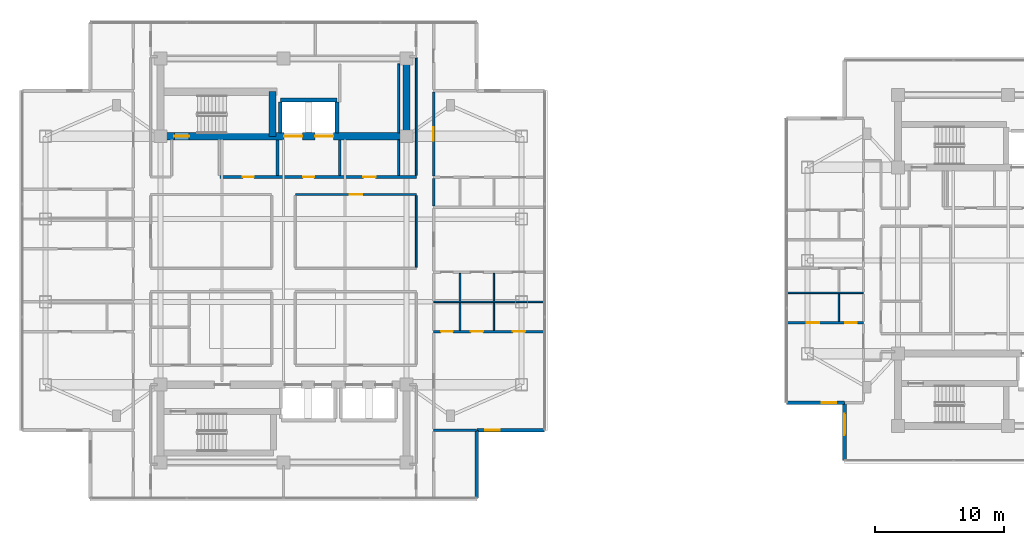
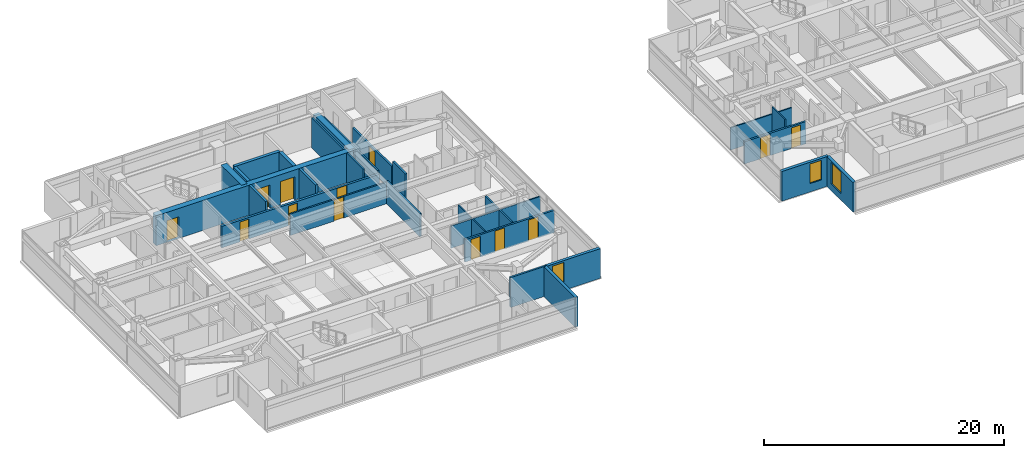
# One storey, part 14 of 24: 30 walls, 13 doors, 3 windows, 16 openings.
"""IFC4 building model written with IfcOpenShell, lengths in metres."""

from ifc_helpers import new_model, si_unit, direction, frame, frame_2d, origin, place, context, subcontext, project, spatial, rectangle, extrude, material, layer, layer_set, type_object, element, fill, save


model = new_model("IFC4")

# Units and contexts
model_context = context("Model", 3, precision=1e-05, world=origin(), true_north=direction((0.0, 1.0)))
body_context = subcontext(model_context, "Body", "Model", "MODEL_VIEW")
ifc_project = project(units=[si_unit("LENGTHUNIT", "METRE"), si_unit("AREAUNIT", "SQUARE_METRE"), si_unit("VOLUMEUNIT", "CUBIC_METRE"), si_unit("PLANEANGLEUNIT", "RADIAN"), si_unit("MASSUNIT", "GRAM", prefix="KILO")], contexts=[model_context])

# Site, building, storey
site_placement = place(None, origin())
site = spatial("IfcSite", under=ifc_project, at=site_placement, CompositionType="ELEMENT")
building_placement = place(site_placement, origin())
building = spatial("IfcBuilding", under=site, at=building_placement, Name="Mirazonda Arch Towers", CompositionType="ELEMENT")
storey_placement = place(building_placement, frame((0.0, 0.0, 160.89990234375)))
storey = spatial("IfcBuildingStorey", under=building, at=storey_placement, Name="L45", CompositionType="ELEMENT", Elevation=160.89990234375)

# Wall
ifc_material_1 = material(Name="Concrete C50/60", Category="concrete")
ifc_layer_1 = layer(ifc_material_1, 0.550048828125, Name="WALL-CORE-550")
ifc_layer_set_1 = layer_set([ifc_layer_1], Name="Concrete C50/60")
wall_type_1 = type_object("IfcWallType", Name="WALL-CORE-550", PredefinedType="SHEAR", material=ifc_layer_set_1)
wall_1_placement = place(storey_placement, frame((30.0, 37.60009765625, 0.0), z_axis=(0.0, 0.0, 1.0), x_axis=(0.0, 1.0, 0.0)))
element("IfcWall", 1, at=wall_1_placement, inside=storey, type_object=wall_type_1, Name="L45 T1N-E Core Shear Wall", PredefinedType="SHEAR", context=body_context, shape_type="SweptSolid", body=[
    extrude(rectangle(XDim=6.0, YDim=0.550048828125, at=frame_2d((3.0, 0.0))), origin(), (0.0, 0.0, 1.0), 3.050048828125),
])

# Wall, openings, doors
wall_2_placement = place(storey_placement, frame((11.0, 37.60009765625, 0.0), z_axis=(0.0, 0.0, 1.0), x_axis=(1.0, 0.0, 0.0)))
wall_2 = element("IfcWall", 2, at=wall_2_placement, inside=storey, type_object=wall_type_1, Name="L45 T1N-S Core Shear Wall", PredefinedType="SHEAR", context=body_context, shape_type="SweptSolid", body=[
    extrude(rectangle(XDim=19.0, YDim=0.550048828125, at=frame_2d((9.5, 0.0))), origin(), (0.0, 0.0, 1.0), 3.050048828125),
])
opening_1_placement = place(wall_2_placement, frame((1.06005859375, 0.0, 0.0)))
opening_1 = element("IfcOpeningElement", 3, at=opening_1_placement, cuts=wall_2, Name="Opening DR-135", PredefinedType="OPENING", context=body_context, shape_type="SweptSolid", body=[
    extrude(rectangle(XDim=1.14990234375, YDim=2.199951171875, at=frame_2d((0.574951171875, 1.10009765625))), frame((0.0, 0.284912109375, 0.0), z_axis=(0.0, -1.0, 0.0), x_axis=(1.0, 0.0, 0.0)), (0.0, 0.0, 1.0), 0.570068359375),
])
opening_2_placement = place(wall_2_placement, frame((9.550048828125, 0.0, 0.0)))
opening_2 = element("IfcOpeningElement", 4, at=opening_2_placement, cuts=wall_2, Name="Opening LD-112", PredefinedType="OPENING", context=body_context, shape_type="SweptSolid", body=[
    extrude(rectangle(XDim=1.39990234375, YDim=2.35009765625, at=frame_2d((0.699951171875, 1.175048828125))), frame((0.0, 0.284912109375, 0.0), z_axis=(0.0, -1.0, 0.0), x_axis=(1.0, 0.0, 0.0)), (0.0, 0.0, 1.0), 0.570068359375),
])
opening_3_placement = place(wall_2_placement, frame((11.949951171875, 0.0, 0.0)))
opening_3 = element("IfcOpeningElement", 5, at=opening_3_placement, cuts=wall_2, Name="Opening LD-112", PredefinedType="OPENING", context=body_context, shape_type="SweptSolid", body=[
    extrude(rectangle(XDim=1.39990234375, YDim=2.35009765625, at=frame_2d((0.699951171875, 1.175048828125))), frame((0.0, 0.284912109375, 0.0), z_axis=(0.0, -1.0, 0.0), x_axis=(1.0, 0.0, 0.0)), (0.0, 0.0, 1.0), 0.570068359375),
])
ifc_material_2 = material(Name="Architectural Brushed Steel S355", Category="steel")
door_type_1 = type_object("IfcDoorType", Name="DOOR-LIFT-FFL-1400", OperationType="NOTDEFINED", PredefinedType="DOOR", material=ifc_material_2)
door_1_placement = place(opening_2_placement, origin())
door_1 = element("IfcDoor", 6, at=door_1_placement, inside=storey, type_object=door_type_1, Name="L45 Lift Landing Sliding Door FFL-T1", OperationType="DOUBLE_DOOR_SLIDING", OverallHeight=2.35009765625, OverallWidth=1.39990234375, PredefinedType="DOOR", context=body_context, shape_type="SweptSolid", body=[
    extrude(rectangle(XDim=1.39990234375, YDim=2.35009765625, at=frame_2d((0.699951171875, 1.175048828125))), frame((0.0, 0.02490234375, 0.0), z_axis=(0.0, -1.0, 0.0), x_axis=(1.0, 0.0, 0.0)), (0.0, 0.0, 1.0), 0.050048828125),
])
fill(opening_2, door_1)
door_2_placement = place(opening_3_placement, origin())
door_2 = element("IfcDoor", 7, at=door_2_placement, inside=storey, type_object=door_type_1, Name="L45 Lift Landing Sliding Door SVL-T1", OperationType="DOUBLE_DOOR_SLIDING", OverallHeight=2.35009765625, OverallWidth=1.39990234375, PredefinedType="DOOR", context=body_context, shape_type="SweptSolid", body=[
    extrude(rectangle(XDim=1.39990234375, YDim=2.35009765625, at=frame_2d((0.699951171875, 1.175048828125))), frame((0.0, 0.02490234375, 0.0), z_axis=(0.0, -1.0, 0.0), x_axis=(1.0, 0.0, 0.0)), (0.0, 0.0, 1.0), 0.050048828125),
])
fill(opening_3, door_2)
door_type_2 = type_object("IfcDoorType", Name="DOOR-STAIR-FD90-1150", OperationType="NOTDEFINED", PredefinedType="DOOR", material=ifc_material_2)
door_3_placement = place(opening_1_placement, origin())
door_3 = element("IfcDoor", 8, at=door_3_placement, inside=storey, type_object=door_type_2, Name="L45 Protected Exit Stair North Door", OperationType="SINGLE_SWING_LEFT", OverallHeight=2.199951171875, OverallWidth=1.14990234375, PredefinedType="DOOR", context=body_context, shape_type="SweptSolid", body=[
    extrude(rectangle(XDim=1.14990234375, YDim=2.199951171875, at=frame_2d((0.574951171875, 1.10009765625))), frame((0.0, 0.02490234375, 0.0), z_axis=(0.0, -1.0, 0.0), x_axis=(1.0, 0.0, 0.0)), (0.0, 0.0, 1.0), 0.050048828125),
])
fill(opening_1, door_3)

# Wall
wall_3_placement = place(storey_placement, frame((19.64990234375, 37.60009765625, 0.0), z_axis=(0.0, 0.0, 1.0), x_axis=(0.0, 1.0, 0.0)))
element("IfcWall", 9, at=wall_3_placement, inside=storey, type_object=wall_type_1, Name="L45 T1N-STE Core Shear Wall", PredefinedType="SHEAR", context=body_context, shape_type="SweptSolid", body=[
    extrude(rectangle(XDim=3.44287109375, YDim=0.550048828125, at=frame_2d((1.721435546875, 0.0))), origin(), (0.0, 0.0, 1.0), 3.050048828125),
])

# Wall, opening, window
ifc_material_3 = material(Name="Precast Concrete C40/50", Category="concrete")
ifc_layer_2 = layer(ifc_material_3, 0.280029296875, Name="WALL-EXT-WALL-280")
ifc_layer_set_2 = layer_set([ifc_layer_2], Name="Precast Concrete C40/50")
wall_type_2 = type_object("IfcWallType", Name="WALL-EXT-WALL-280", PredefinedType="SOLIDWALL", material=ifc_layer_set_2)
wall_4_placement = place(storey_placement, frame((35.445068359375, 14.87890625, 0.0), z_axis=(0.0, 0.0, 1.0), x_axis=(1.0, 0.0, 0.0)))
wall_4 = element("IfcWall", 10, at=wall_4_placement, inside=storey, type_object=wall_type_2, Name="L45 T1 Corner Notch Return Wall WL-L45-T1-CSE1", PredefinedType="SOLIDWALL", context=body_context, shape_type="SweptSolid", body=[
    extrude(rectangle(XDim=5.244873046875, YDim=0.280029296875, at=frame_2d((2.62255859375, 0.0))), origin(), (0.0, 0.0, 1.0), 3.030029296875),
])
opening_4_placement = place(wall_4_placement, frame((0.64990234375, 0.0, 0.85009765625)))
opening_4 = element("IfcOpeningElement", 11, at=opening_4_placement, cuts=wall_4, Name="Opening WN-108", PredefinedType="OPENING", context=body_context, shape_type="SweptSolid", body=[
    extrude(rectangle(XDim=1.10009765625, YDim=2.0, at=frame_2d((0.550048828125, 1.0))), frame((0.0, 0.14990234375, 0.0), z_axis=(0.0, -1.0, 0.0), x_axis=(1.0, 0.0, 0.0)), (0.0, 0.0, 1.0), 0.300048828125),
])
ifc_material_4 = material(Name="Insulated Low-E Solar Glass", Category="glass")
window_type_1 = type_object("IfcWindowType", Name="WIN-NOTCH-1100x2000", PartitioningType="SINGLE_PANEL", PredefinedType="WINDOW", material=ifc_material_4)
window_1_placement = place(opening_4_placement, origin())
window_1 = element("IfcWindow", 12, at=window_1_placement, inside=storey, type_object=window_type_1, Name="L45 Punched Facade Window WN-L45-T1-CSE1", OverallHeight=2.0, OverallWidth=1.10009765625, PartitioningType="SINGLE_PANEL", PredefinedType="WINDOW", context=body_context, shape_type="SweptSolid", body=[
    extrude(rectangle(XDim=1.10009765625, YDim=2.0, at=frame_2d((0.550048828125, 1.0))), frame((0.0, 0.030029296875, 0.0), z_axis=(0.0, -1.0, 0.0), x_axis=(1.0, 0.0, 0.0)), (0.0, 0.0, 1.0), 0.06005859375),
])
fill(opening_4, window_1)

# Wall
wall_5_placement = place(storey_placement, frame((35.445068359375, 9.634033203125, 0.0), z_axis=(0.0, 0.0, 1.0), x_axis=(0.0, 1.0, 0.0)))
element("IfcWall", 13, at=wall_5_placement, inside=storey, type_object=wall_type_2, Name="L45 T1 Corner Notch Return Wall WL-L45-T1-CSE2", PredefinedType="SOLIDWALL", context=body_context, shape_type="SweptSolid", body=[
    extrude(rectangle(XDim=5.244873046875, YDim=0.280029296875, at=frame_2d((2.62255859375, 0.0))), origin(), (0.0, 0.0, 1.0), 3.030029296875),
])

# Wall, opening, window
wall_6_placement = place(storey_placement, frame((63.856689453125, 17.007080078125, 0.0), z_axis=(0.0, 0.0, 1.0), x_axis=(0.0, -1.0, 0.0)))
wall_6 = element("IfcWall", 14, at=wall_6_placement, inside=storey, type_object=wall_type_2, Name="L45 T2 Notched SW Corner Wall WL-L45-T2-CSW", PredefinedType="SOLIDWALL", context=body_context, shape_type="SweptSolid", body=[
    extrude(rectangle(XDim=4.465087890625, YDim=0.280029296875, at=frame_2d((2.232421875, 0.0))), origin(), (0.0, 0.0, 1.0), 3.030029296875),
])
opening_5_placement = place(wall_6_placement, frame((0.85009765625, 0.0, 0.679931640625)))
opening_5 = element("IfcOpeningElement", 15, at=opening_5_placement, cuts=wall_6, Name="Opening WN-115", PredefinedType="OPENING", context=body_context, shape_type="SweptSolid", body=[
    extrude(rectangle(XDim=1.64990234375, YDim=2.199951171875, at=frame_2d((0.824951171875, 1.10009765625))), frame((0.0, 0.14990234375, 0.0), z_axis=(0.0, -1.0, 0.0), x_axis=(1.0, 0.0, 0.0)), (0.0, 0.0, 1.0), 0.300048828125),
])
window_type_2 = type_object("IfcWindowType", Name="WIN-RES-1650x2200", PartitioningType="SINGLE_PANEL", PredefinedType="WINDOW", material=ifc_material_4)
window_2_placement = place(opening_5_placement, origin())
window_2 = element("IfcWindow", 16, at=window_2_placement, inside=storey, type_object=window_type_2, Name="L45 Punched Facade Window WN-L45-T2-CSW", OverallHeight=2.199951171875, OverallWidth=1.64990234375, PartitioningType="SINGLE_PANEL", PredefinedType="WINDOW", context=body_context, shape_type="SweptSolid", body=[
    extrude(rectangle(XDim=1.64990234375, YDim=2.199951171875, at=frame_2d((0.824951171875, 1.10009765625))), frame((0.0, 0.030029296875, 0.0), z_axis=(0.0, -1.0, 0.0), x_axis=(1.0, 0.0, 0.0)), (0.0, 0.0, 1.0), 0.06005859375),
])
fill(opening_5, window_2)

wall_7_placement = place(storey_placement, frame((59.3916015625, 17.007080078125, 0.0), z_axis=(0.0, 0.0, 1.0), x_axis=(1.0, 0.0, 0.0)))
wall_7 = element("IfcWall", 17, at=wall_7_placement, inside=storey, type_object=wall_type_2, Name="L45 T2 Corner Notch Return Wall WL-L45-T2-CSW2", PredefinedType="SOLIDWALL", context=body_context, shape_type="SweptSolid", body=[
    extrude(rectangle(XDim=4.465087890625, YDim=0.280029296875, at=frame_2d((2.232421875, 0.0))), origin(), (0.0, 0.0, 1.0), 3.030029296875),
])
opening_6_placement = place(wall_7_placement, frame((2.715087890625, 0.0, 0.85009765625)))
opening_6 = element("IfcOpeningElement", 18, at=opening_6_placement, cuts=wall_7, Name="Opening WN-108", PredefinedType="OPENING", context=body_context, shape_type="SweptSolid", body=[
    extrude(rectangle(XDim=1.10009765625, YDim=2.0, at=frame_2d((0.550048828125, 1.0))), frame((0.0, 0.14990234375, 0.0), z_axis=(0.0, -1.0, 0.0), x_axis=(1.0, 0.0, 0.0)), (0.0, 0.0, 1.0), 0.300048828125),
])
window_3_placement = place(opening_6_placement, origin())
window_3 = element("IfcWindow", 19, at=window_3_placement, inside=storey, type_object=window_type_1, Name="L45 Punched Facade Window WN-L45-T2-CSW2", OverallHeight=2.0, OverallWidth=1.10009765625, PartitioningType="SINGLE_PANEL", PredefinedType="WINDOW", context=body_context, shape_type="SweptSolid", body=[
    extrude(rectangle(XDim=1.10009765625, YDim=2.0, at=frame_2d((0.550048828125, 1.0))), frame((0.0, 0.030029296875, 0.0), z_axis=(0.0, -1.0, 0.0), x_axis=(1.0, 0.0, 0.0)), (0.0, 0.0, 1.0), 0.06005859375),
])
fill(opening_6, window_3)

# Wall, openings, doors
ifc_material_5 = material(Name="Concrete C40/50", Category="concrete")
ifc_layer_3 = layer(ifc_material_5, 0.219970703125, Name="WALL-FFL-220")
ifc_layer_set_3 = layer_set([ifc_layer_3], Name="Concrete C40/50")
wall_type_3 = type_object("IfcWallType", Name="WALL-FFL-220", PredefinedType="SOLIDWALL", material=ifc_layer_set_3)
wall_8_placement = place(storey_placement, frame((15.590087890625, 34.449951171875, 0.0), z_axis=(0.0, 0.0, 1.0), x_axis=(1.0, 0.0, 0.0)))
wall_8 = element("IfcWall", 20, at=wall_8_placement, inside=storey, type_object=wall_type_3, Name="L45 Interior Partition 052", PredefinedType="SOLIDWALL", context=body_context, shape_type="SweptSolid", body=[
    extrude(rectangle(XDim=15.169921875, YDim=0.219970703125, at=frame_2d((7.5849609375, 0.0))), origin(), (0.0, 0.0, 1.0), 2.18603515625),
])
opening_7_placement = place(wall_8_placement, frame((6.43505859375, 0.0, 0.0)))
opening_7 = element("IfcOpeningElement", 21, at=opening_7_placement, cuts=wall_8, Name="Opening DR-128", PredefinedType="OPENING", context=body_context, shape_type="SweptSolid", body=[
    extrude(rectangle(XDim=0.85009765625, YDim=2.010009765625, at=frame_2d((0.425048828125, 1.0048828125))), frame((0.0, 0.119873046875, 0.0), z_axis=(0.0, -1.0, 0.0), x_axis=(1.0, 0.0, 0.0)), (0.0, 0.0, 1.0), 0.239990234375),
])
opening_8_placement = place(wall_8_placement, frame((11.0849609375, 0.0, 0.0)))
opening_8 = element("IfcOpeningElement", 22, at=opening_8_placement, cuts=wall_8, Name="Opening DR-104", PredefinedType="OPENING", context=body_context, shape_type="SweptSolid", body=[
    extrude(rectangle(XDim=0.949951171875, YDim=2.14990234375, at=frame_2d((0.47509765625, 1.074951171875))), frame((0.0, 0.119873046875, 0.0), z_axis=(0.0, -1.0, 0.0), x_axis=(1.0, 0.0, 0.0)), (0.0, 0.0, 1.0), 0.239990234375),
])
opening_9_placement = place(wall_8_placement, frame((1.77490234375, 0.0, 0.0)))
opening_9 = element("IfcOpeningElement", 23, at=opening_9_placement, cuts=wall_8, Name="Opening DR-128", PredefinedType="OPENING", context=body_context, shape_type="SweptSolid", body=[
    extrude(rectangle(XDim=0.85009765625, YDim=2.010009765625, at=frame_2d((0.425048828125, 1.0048828125))), frame((0.0, 0.119873046875, 0.0), z_axis=(0.0, -1.0, 0.0), x_axis=(1.0, 0.0, 0.0)), (0.0, 0.0, 1.0), 0.239990234375),
])
door_type_3 = type_object("IfcDoorType", Name="DOOR-RISER-FD60-850", OperationType="NOTDEFINED", PredefinedType="DOOR", material=ifc_material_2)
door_4_placement = place(opening_7_placement, origin())
door_4 = element("IfcDoor", 24, at=door_4_placement, inside=storey, type_object=door_type_3, Name="L45 Firefighting Lift Lobby Door", OperationType="SINGLE_SWING_RIGHT", OverallHeight=2.010009765625, OverallWidth=0.85009765625, PredefinedType="DOOR", context=body_context, shape_type="SweptSolid", body=[
    extrude(rectangle(XDim=0.85009765625, YDim=2.010009765625, at=frame_2d((0.425048828125, 1.0048828125))), frame((0.0, 0.02490234375, 0.0), z_axis=(0.0, -1.0, 0.0), x_axis=(1.0, 0.0, 0.0)), (0.0, 0.0, 1.0), 0.050048828125),
])
fill(opening_7, door_4)
door_5_placement = place(opening_9_placement, origin())
door_5 = element("IfcDoor", 25, at=door_5_placement, inside=storey, type_object=door_type_3, Name="L45 Housekeeping Linen Room Door", OperationType="SINGLE_SWING_RIGHT", OverallHeight=2.010009765625, OverallWidth=0.85009765625, PredefinedType="DOOR", context=body_context, shape_type="SweptSolid", body=[
    extrude(rectangle(XDim=0.85009765625, YDim=2.010009765625, at=frame_2d((0.425048828125, 1.0048828125))), frame((0.0, 0.02490234375, 0.0), z_axis=(0.0, -1.0, 0.0), x_axis=(1.0, 0.0, 0.0)), (0.0, 0.0, 1.0), 0.050048828125),
])
fill(opening_9, door_5)
door_type_4 = type_object("IfcDoorType", Name="DOOR-ROOM-950", OperationType="NOTDEFINED", PredefinedType="DOOR", material=ifc_material_2)
door_6_placement = place(opening_8_placement, origin())
door_6 = element("IfcDoor", 26, at=door_6_placement, inside=storey, type_object=door_type_4, Name="L45 Residents Private Art Gallery Door", OperationType="SINGLE_SWING_LEFT", OverallHeight=2.14990234375, OverallWidth=0.949951171875, PredefinedType="DOOR", context=body_context, shape_type="SweptSolid", body=[
    extrude(rectangle(XDim=0.949951171875, YDim=2.14990234375, at=frame_2d((0.47509765625, 1.074951171875))), frame((0.0, 0.02490234375, 0.0), z_axis=(0.0, -1.0, 0.0), x_axis=(1.0, 0.0, 0.0)), (0.0, 0.0, 1.0), 0.050048828125),
])
fill(opening_8, door_6)

# Walls
for number, where, z_axis, x_axis, name in (
    (27, (20.02490234375, 34.570068359375, 0.0), (0.0, 0.0, 1.0), (0.0, 1.0, 0.0), "L45 Interior Partition 089"),
    (28, (24.85009765625, 34.570068359375, 0.0), (0.0, 0.0, 1.0), (0.0, 1.0, 0.0), "L45 Interior Partition 100"),
):
    element("IfcWall", number, at=place(storey_placement, frame(where, z_axis=z_axis, x_axis=x_axis)), inside=storey, type_object=wall_type_3, Name=name, PredefinedType="SOLIDWALL", context=body_context, shape_type="SweptSolid", body=[
        extrude(rectangle(XDim=2.760009765625, YDim=0.219970703125, at=frame_2d((1.3798828125, 0.0))), origin(), (0.0, 0.0, 1.0), 3.050048828125),
    ])

# Wall, opening, door
ifc_material_6 = material(Name="Fire-Rated Gypsum Stud Partition")
ifc_layer_4 = layer(ifc_material_6, 0.14990234375, Name="WALL-PART-CORR-150")
ifc_layer_set_4 = layer_set([ifc_layer_4], Name="Fire-Rated Gypsum Stud Partition")
wall_type_4 = type_object("IfcWallType", Name="WALL-PART-CORR-150", PredefinedType="PARTITIONING", material=ifc_layer_set_4)
wall_9_placement = place(storey_placement, frame((21.43994140625, 33.10009765625, 0.0), z_axis=(0.0, 0.0, 1.0), x_axis=(1.0, 0.0, 0.0)))
wall_9 = element("IfcWall", 29, at=wall_9_placement, inside=storey, type_object=wall_type_4, Name="L45 Interior Partition 048", PredefinedType="PARTITIONING", context=body_context, shape_type="SweptSolid", body=[
    extrude(rectangle(XDim=9.320068359375, YDim=0.14990234375, at=frame_2d((4.66015625, 0.0))), origin(), (0.0, 0.0, 1.0), 2.18603515625),
])
opening_10_placement = place(wall_9_placement, frame((4.18505859375, 0.0, 0.0)))
opening_10 = element("IfcOpeningElement", 30, at=opening_10_placement, cuts=wall_9, Name="Opening DR-104", PredefinedType="OPENING", context=body_context, shape_type="SweptSolid", body=[
    extrude(rectangle(XDim=0.949951171875, YDim=2.14990234375, at=frame_2d((0.47509765625, 1.074951171875))), frame((0.0, 0.0849609375, 0.0), z_axis=(0.0, -1.0, 0.0), x_axis=(1.0, 0.0, 0.0)), (0.0, 0.0, 1.0), 0.169921875),
])
door_7_placement = place(opening_10_placement, origin())
door_7 = element("IfcDoor", 31, at=door_7_placement, inside=storey, type_object=door_type_4, Name="L45 L45 North-East Cruciform Study Door", OperationType="SINGLE_SWING_RIGHT", OverallHeight=2.14990234375, OverallWidth=0.949951171875, PredefinedType="DOOR", context=body_context, shape_type="SweptSolid", body=[
    extrude(rectangle(XDim=0.949951171875, YDim=2.14990234375, at=frame_2d((0.47509765625, 1.074951171875))), frame((0.0, 0.02490234375, 0.0), z_axis=(0.0, -1.0, 0.0), x_axis=(1.0, 0.0, 0.0)), (0.0, 0.0, 1.0), 0.050048828125),
])
fill(opening_10, door_7)

# Walls
wall_10_placement = place(storey_placement, frame((29.39990234375, 34.570068359375, 0.0), z_axis=(0.0, 0.0, 1.0), x_axis=(0.0, 1.0, 0.0)))
element("IfcWall", 32, at=wall_10_placement, inside=storey, type_object=wall_type_4, Name="L45 Interior Partition 103", PredefinedType="PARTITIONING", context=body_context, shape_type="SweptSolid", body=[
    extrude(rectangle(XDim=2.760009765625, YDim=0.14990234375, at=frame_2d((1.3798828125, 0.0))), origin(), (0.0, 0.0, 1.0), 3.050048828125),
])
wall_11_placement = place(storey_placement, frame((29.39990234375, 37.8701171875, 0.0), z_axis=(0.0, 0.0, 1.0), x_axis=(0.0, 1.0, 0.0)))
element("IfcWall", 33, at=wall_11_placement, inside=storey, type_object=wall_type_4, Name="L45 Interior Partition 104", PredefinedType="PARTITIONING", context=body_context, shape_type="SweptSolid", body=[
    extrude(rectangle(XDim=5.329833984375, YDim=0.14990234375, at=frame_2d((2.6650390625, 0.0))), origin(), (0.0, 0.0, 1.0), 3.050048828125),
])
wall_12_placement = place(storey_placement, frame((30.760009765625, 27.485107421875, 0.0), z_axis=(0.0, 0.0, 1.0), x_axis=(0.0, 1.0, 0.0)))
element("IfcWall", 34, at=wall_12_placement, inside=storey, type_object=wall_type_4, Name="L45 Interior Partition 108", PredefinedType="PARTITIONING", context=body_context, shape_type="SweptSolid", body=[
    extrude(rectangle(XDim=5.52978515625, YDim=0.14990234375, at=frame_2d((2.764892578125, 0.0))), origin(), (0.0, 0.0, 1.0), 2.34619140625),
])
wall_13_placement = place(storey_placement, frame((30.760009765625, 34.570068359375, 0.0), z_axis=(0.0, 0.0, 1.0), x_axis=(0.0, 1.0, 0.0)))
element("IfcWall", 35, at=wall_13_placement, inside=storey, type_object=wall_type_4, Name="L45 Interior Partition 109", PredefinedType="PARTITIONING", context=body_context, shape_type="SweptSolid", body=[
    extrude(rectangle(XDim=9.094970703125, YDim=0.14990234375, at=frame_2d((4.54736328125, 0.0))), origin(), (0.0, 0.0, 1.0), 2.442138671875),
])
ifc_material_7 = material(Name="Fire-Rated Gypsum Twin-Stud Assembly")
ifc_layer_5 = layer(ifc_material_7, 0.179931640625, Name="WALL-PART-DEMISE-180")
ifc_layer_set_5 = layer_set([ifc_layer_5], Name="Fire-Rated Gypsum Twin-Stud Assembly")
wall_type_5 = type_object("IfcWallType", Name="WALL-PART-DEMISE-180", PredefinedType="PARTITIONING", material=ifc_layer_set_5)
wall_14_placement = place(storey_placement, frame((32.10009765625, 14.87890625, 0.0), z_axis=(0.0, 0.0, 1.0), x_axis=(1.0, 0.0, 0.0)))
element("IfcWall", 36, at=wall_14_placement, inside=storey, type_object=wall_type_5, Name="L45 Interior Partition 005", PredefinedType="PARTITIONING", context=body_context, shape_type="SweptSolid", body=[
    extrude(rectangle(XDim=3.324951171875, YDim=0.179931640625, at=frame_2d((1.66259765625, 0.0))), origin(), (0.0, 0.0, 1.0), 3.050048828125),
])

# Wall, openings, doors
wall_15_placement = place(storey_placement, frame((32.10009765625, 22.5, 0.0), z_axis=(0.0, 0.0, 1.0), x_axis=(1.0, 0.0, 0.0)))
wall_15 = element("IfcWall", 37, at=wall_15_placement, inside=storey, type_object=wall_type_5, Name="L45 Interior Partition 022", PredefinedType="PARTITIONING", context=body_context, shape_type="SweptSolid", body=[
    extrude(rectangle(XDim=8.58984375, YDim=0.179931640625, at=frame_2d((4.294921875, 0.0))), origin(), (0.0, 0.0, 1.0), 2.26904296875),
])
opening_11_placement = place(wall_15_placement, frame((6.1298828125, 0.0, 0.0)))
opening_11 = element("IfcOpeningElement", 38, at=opening_11_placement, cuts=wall_15, Name="Opening DR-104", PredefinedType="OPENING", context=body_context, shape_type="SweptSolid", body=[
    extrude(rectangle(XDim=0.949951171875, YDim=2.14990234375, at=frame_2d((0.47509765625, 1.074951171875))), frame((0.0, 0.099853515625, 0.0), z_axis=(0.0, -1.0, 0.0), x_axis=(1.0, 0.0, 0.0)), (0.0, 0.0, 1.0), 0.199951171875),
])
opening_12_placement = place(wall_15_placement, frame((2.875, 0.0, 0.0)))
opening_12 = element("IfcOpeningElement", 39, at=opening_12_placement, cuts=wall_15, Name="Opening DR-104", PredefinedType="OPENING", context=body_context, shape_type="SweptSolid", body=[
    extrude(rectangle(XDim=0.949951171875, YDim=2.14990234375, at=frame_2d((0.47509765625, 1.074951171875))), frame((0.0, 0.099853515625, 0.0), z_axis=(0.0, -1.0, 0.0), x_axis=(1.0, 0.0, 0.0)), (0.0, 0.0, 1.0), 0.199951171875),
])
opening_13_placement = place(wall_15_placement, frame((0.590087890625, 0.0, 0.0)))
opening_13 = element("IfcOpeningElement", 40, at=opening_13_placement, cuts=wall_15, Name="Opening DR-120", PredefinedType="OPENING", context=body_context, shape_type="SweptSolid", body=[
    extrude(rectangle(XDim=0.89990234375, YDim=2.10009765625, at=frame_2d((0.449951171875, 1.050048828125))), frame((0.0, 0.099853515625, 0.0), z_axis=(0.0, -1.0, 0.0), x_axis=(1.0, 0.0, 0.0)), (0.0, 0.0, 1.0), 0.199951171875),
])
door_8_placement = place(opening_11_placement, origin())
door_8 = element("IfcDoor", 41, at=door_8_placement, inside=storey, type_object=door_type_4, Name="L45 Residence 1 Principal Bedroom Door", OperationType="SINGLE_SWING_RIGHT", OverallHeight=2.14990234375, OverallWidth=0.949951171875, PredefinedType="DOOR", context=body_context, shape_type="SweptSolid", body=[
    extrude(rectangle(XDim=0.949951171875, YDim=2.14990234375, at=frame_2d((0.47509765625, 1.074951171875))), frame((0.0, 0.02490234375, 0.0), z_axis=(0.0, -1.0, 0.0), x_axis=(1.0, 0.0, 0.0)), (0.0, 0.0, 1.0), 0.050048828125),
])
fill(opening_11, door_8)
door_9_placement = place(opening_12_placement, origin())
door_9 = element("IfcDoor", 42, at=door_9_placement, inside=storey, type_object=door_type_4, Name="L45 Residence 1 Fitted Kitchen Door", OperationType="SINGLE_SWING_LEFT", OverallHeight=2.14990234375, OverallWidth=0.949951171875, PredefinedType="DOOR", context=body_context, shape_type="SweptSolid", body=[
    extrude(rectangle(XDim=0.949951171875, YDim=2.14990234375, at=frame_2d((0.47509765625, 1.074951171875))), frame((0.0, 0.02490234375, 0.0), z_axis=(0.0, -1.0, 0.0), x_axis=(1.0, 0.0, 0.0)), (0.0, 0.0, 1.0), 0.050048828125),
])
fill(opening_12, door_9)
door_type_5 = type_object("IfcDoorType", Name="DOOR-WC-900", OperationType="NOTDEFINED", PredefinedType="DOOR", material=ifc_material_2)
door_10_placement = place(opening_13_placement, origin())
door_10 = element("IfcDoor", 43, at=door_10_placement, inside=storey, type_object=door_type_5, Name="L45 Residence 1 Bathroom Door", OperationType="SINGLE_SWING_RIGHT", OverallHeight=2.10009765625, OverallWidth=0.89990234375, PredefinedType="DOOR", context=body_context, shape_type="SweptSolid", body=[
    extrude(rectangle(XDim=0.89990234375, YDim=2.10009765625, at=frame_2d((0.449951171875, 1.050048828125))), frame((0.0, 0.02490234375, 0.0), z_axis=(0.0, -1.0, 0.0), x_axis=(1.0, 0.0, 0.0)), (0.0, 0.0, 1.0), 0.050048828125),
])
fill(opening_13, door_10)

wall_16_placement = place(storey_placement, frame((59.39208984375, 23.19189453125, 0.0), z_axis=(0.0, 0.0, 1.0), x_axis=(1.0, 0.0, 0.0)))
wall_16 = element("IfcWall", 44, at=wall_16_placement, inside=storey, type_object=wall_type_5, Name="L45 Interior Partition 025", PredefinedType="PARTITIONING", context=body_context, shape_type="SweptSolid", body=[
    extrude(rectangle(XDim=5.927978515625, YDim=0.179931640625, at=frame_2d((2.9638671875, 0.0))), origin(), (0.0, 0.0, 1.0), 2.26904296875),
])
opening_14_placement = place(wall_16_placement, frame((1.560546875, 0.0, 0.0)))
opening_14 = element("IfcOpeningElement", 45, at=opening_14_placement, cuts=wall_16, Name="Opening DR-104", PredefinedType="OPENING", context=body_context, shape_type="SweptSolid", body=[
    extrude(rectangle(XDim=0.949951171875, YDim=2.14990234375, at=frame_2d((0.47509765625, 1.074951171875))), frame((0.0, 0.099853515625, 0.0), z_axis=(0.0, -1.0, 0.0), x_axis=(1.0, 0.0, 0.0)), (0.0, 0.0, 1.0), 0.199951171875),
])
opening_15_placement = place(wall_16_placement, frame((4.509521484375, 0.0, 0.0)))
opening_15 = element("IfcOpeningElement", 46, at=opening_15_placement, cuts=wall_16, Name="Opening DR-120", PredefinedType="OPENING", context=body_context, shape_type="SweptSolid", body=[
    extrude(rectangle(XDim=0.89990234375, YDim=2.10009765625, at=frame_2d((0.449951171875, 1.050048828125))), frame((0.0, 0.099853515625, 0.0), z_axis=(0.0, -1.0, 0.0), x_axis=(1.0, 0.0, 0.0)), (0.0, 0.0, 1.0), 0.199951171875),
])
door_11_placement = place(opening_14_placement, origin())
door_11 = element("IfcDoor", 47, at=door_11_placement, inside=storey, type_object=door_type_4, Name="L45 Studio 1 Galley Kitchen Door", OperationType="SINGLE_SWING_RIGHT", OverallHeight=2.14990234375, OverallWidth=0.949951171875, PredefinedType="DOOR", context=body_context, shape_type="SweptSolid", body=[
    extrude(rectangle(XDim=0.949951171875, YDim=2.14990234375, at=frame_2d((0.47509765625, 1.074951171875))), frame((0.0, 0.02490234375, 0.0), z_axis=(0.0, -1.0, 0.0), x_axis=(1.0, 0.0, 0.0)), (0.0, 0.0, 1.0), 0.050048828125),
])
fill(opening_14, door_11)
door_12_placement = place(opening_15_placement, origin())
door_12 = element("IfcDoor", 48, at=door_12_placement, inside=storey, type_object=door_type_5, Name="L45 Studio 1 Bathroom Door", OperationType="SINGLE_SWING_LEFT", OverallHeight=2.10009765625, OverallWidth=0.89990234375, PredefinedType="DOOR", context=body_context, shape_type="SweptSolid", body=[
    extrude(rectangle(XDim=0.89990234375, YDim=2.10009765625, at=frame_2d((0.449951171875, 1.050048828125))), frame((0.0, 0.02490234375, 0.0), z_axis=(0.0, -1.0, 0.0), x_axis=(1.0, 0.0, 0.0)), (0.0, 0.0, 1.0), 0.050048828125),
])
fill(opening_15, door_12)

# Wall
wall_17_placement = place(storey_placement, frame((32.10009765625, 32.22705078125, 0.0), z_axis=(0.0, 0.0, 1.0), x_axis=(0.0, 1.0, 0.0)))
element("IfcWall", 49, at=wall_17_placement, inside=storey, type_object=wall_type_5, Name="L45 Interior Partition 116", PredefinedType="PARTITIONING", context=body_context, shape_type="SweptSolid", body=[
    extrude(rectangle(XDim=2.099853515625, YDim=0.179931640625, at=frame_2d((1.0498046875, 0.0))), origin(), (0.0, 0.0, 1.0), 3.050048828125),
])

# Wall, opening, door
wall_18_placement = place(storey_placement, frame((32.10009765625, 34.527099609375, 0.0), z_axis=(0.0, 0.0, 1.0), x_axis=(0.0, 1.0, 0.0)))
wall_18 = element("IfcWall", 50, at=wall_18_placement, inside=storey, type_object=wall_type_5, Name="L45 Interior Partition 117", PredefinedType="PARTITIONING", context=body_context, shape_type="SweptSolid", body=[
    extrude(rectangle(XDim=6.493896484375, YDim=0.179931640625, at=frame_2d((3.2470703125, 0.0))), origin(), (0.0, 0.0, 1.0), 2.442138671875),
])
opening_16_placement = place(wall_18_placement, frame((2.721923828125, 0.0, 0.0)))
opening_16 = element("IfcOpeningElement", 51, at=opening_16_placement, cuts=wall_18, Name="Opening DR-121", PredefinedType="OPENING", context=body_context, shape_type="SweptSolid", body=[
    extrude(rectangle(XDim=1.050048828125, YDim=2.199951171875, at=frame_2d((0.52490234375, 1.10009765625))), frame((0.0, 0.099853515625, 0.0), z_axis=(0.0, -1.0, 0.0), x_axis=(1.0, 0.0, 0.0)), (0.0, 0.0, 1.0), 0.199951171875),
])
door_type_6 = type_object("IfcDoorType", Name="DOOR-SUITE-FD60-1050", OperationType="NOTDEFINED", PredefinedType="DOOR", material=ifc_material_2)
door_13_placement = place(opening_16_placement, origin())
door_13 = element("IfcDoor", 52, at=door_13_placement, inside=storey, type_object=door_type_6, Name="L45 Residence 3 Living & Dining Salon Door", OperationType="SINGLE_SWING_LEFT", OverallHeight=2.199951171875, OverallWidth=1.050048828125, PredefinedType="DOOR", context=body_context, shape_type="SweptSolid", body=[
    extrude(rectangle(XDim=1.050048828125, YDim=2.199951171875, at=frame_2d((0.52490234375, 1.10009765625))), frame((0.0, 0.02490234375, 0.0), z_axis=(0.0, -1.0, 0.0), x_axis=(1.0, 0.0, 0.0)), (0.0, 0.0, 1.0), 0.050048828125),
])
fill(opening_16, door_13)

# Walls
ifc_material_8 = material(Name="Acoustic Fire-Rated Gypsum Partition")
ifc_layer_6 = layer(ifc_material_8, 0.125, Name="WALL-PART-UNIT-125")
ifc_layer_set_6 = layer_set([ifc_layer_6], Name="Acoustic Fire-Rated Gypsum Partition")
wall_type_6 = type_object("IfcWallType", Name="WALL-PART-UNIT-125", PredefinedType="PARTITIONING", material=ifc_layer_set_6)
wall_19_placement = place(storey_placement, frame((32.10009765625, 24.800048828125, 0.0), z_axis=(0.0, 0.0, 1.0), x_axis=(1.0, 0.0, 0.0)))
element("IfcWall", 53, at=wall_19_placement, inside=storey, type_object=wall_type_6, Name="L45 Interior Partition 027", PredefinedType="PARTITIONING", context=body_context, shape_type="SweptSolid", body=[
    extrude(rectangle(XDim=8.58984375, YDim=0.125, at=frame_2d((4.294921875, 0.0))), origin(), (0.0, 0.0, 1.0), 2.26904296875),
])
wall_20_placement = place(storey_placement, frame((59.39208984375, 25.491943359375, 0.0), z_axis=(0.0, 0.0, 1.0), x_axis=(1.0, 0.0, 0.0)))
element("IfcWall", 54, at=wall_20_placement, inside=storey, type_object=wall_type_6, Name="L45 Interior Partition 031", PredefinedType="PARTITIONING", context=body_context, shape_type="SweptSolid", body=[
    extrude(rectangle(XDim=5.927978515625, YDim=0.125, at=frame_2d((2.9638671875, 0.0))), origin(), (0.0, 0.0, 1.0), 2.26904296875),
])
for number, where, z_axis, x_axis, name in (
    (55, (34.139892578125, 22.60009765625, 0.0), (0.0, 0.0, 1.0), (0.0, 1.0, 0.0), "L45 Interior Partition 119"),
    (56, (34.139892578125, 24.87255859375, 0.0), (0.0, 0.0, 1.0), (0.0, 1.0, 0.0), "L45 Interior Partition 120"),
    (57, (36.760009765625, 22.60009765625, 0.0), (0.0, 0.0, 1.0), (0.0, 1.0, 0.0), "L45 Interior Partition 122"),
    (58, (36.760009765625, 24.87255859375, 0.0), (0.0, 0.0, 1.0), (0.0, 1.0, 0.0), "L45 Interior Partition 123"),
):
    element("IfcWall", number, at=place(storey_placement, frame(where, z_axis=z_axis, x_axis=x_axis)), inside=storey, type_object=wall_type_6, Name=name, PredefinedType="PARTITIONING", context=body_context, shape_type="SweptSolid", body=[
        extrude(rectangle(XDim=2.12744140625, YDim=0.125, at=frame_2d((1.063720703125, 0.0))), origin(), (0.0, 0.0, 1.0), 2.34619140625),
    ])
wall_21_placement = place(storey_placement, frame((63.423095703125, 23.2919921875, 0.0), z_axis=(0.0, 0.0, 1.0), x_axis=(0.0, 1.0, 0.0)))
element("IfcWall", 59, at=wall_21_placement, inside=storey, type_object=wall_type_6, Name="L45 Interior Partition 125", PredefinedType="PARTITIONING", context=body_context, shape_type="SweptSolid", body=[
    extrude(rectangle(XDim=2.12744140625, YDim=0.125, at=frame_2d((1.063720703125, 0.0))), origin(), (0.0, 0.0, 1.0), 3.050048828125),
])
ifc_layer_7 = layer(ifc_material_1, 0.300048828125, Name="WALL-SHAFT-300")
ifc_layer_set_7 = layer_set([ifc_layer_7], Name="Concrete C50/60")
wall_type_7 = type_object("IfcWallType", Name="WALL-SHAFT-300", PredefinedType="SOLIDWALL", material=ifc_layer_set_7)
wall_22_placement = place(storey_placement, frame((20.25, 40.39990234375, 0.0), z_axis=(0.0, 0.0, 1.0), x_axis=(1.0, 0.0, 0.0)))
element("IfcWall", 60, at=wall_22_placement, inside=storey, type_object=wall_type_7, Name="L45 Interior Partition 059", PredefinedType="SOLIDWALL", context=body_context, shape_type="SweptSolid", body=[
    extrude(rectangle(XDim=4.39990234375, YDim=0.300048828125, at=frame_2d((2.199951171875, 0.0))), origin(), (0.0, 0.0, 1.0), 3.050048828125),
])
for number, where, z_axis, x_axis, name in (
    (61, (20.25, 37.8701171875, 0.0), (0.0, 0.0, 1.0), (0.0, 1.0, 0.0), "L45 Interior Partition 092"),
    (62, (24.64990234375, 37.8701171875, 0.0), (0.0, 0.0, 1.0), (0.0, 1.0, 0.0), "L45 Interior Partition 098"),
):
    element("IfcWall", number, at=place(storey_placement, frame(where, z_axis=z_axis, x_axis=x_axis)), inside=storey, type_object=wall_type_7, Name=name, PredefinedType="SOLIDWALL", context=body_context, shape_type="SweptSolid", body=[
        extrude(rectangle(XDim=2.369873046875, YDim=0.300048828125, at=frame_2d((1.18505859375, 0.0))), origin(), (0.0, 0.0, 1.0), 3.050048828125),
    ])

save(model, "model.ifc")
